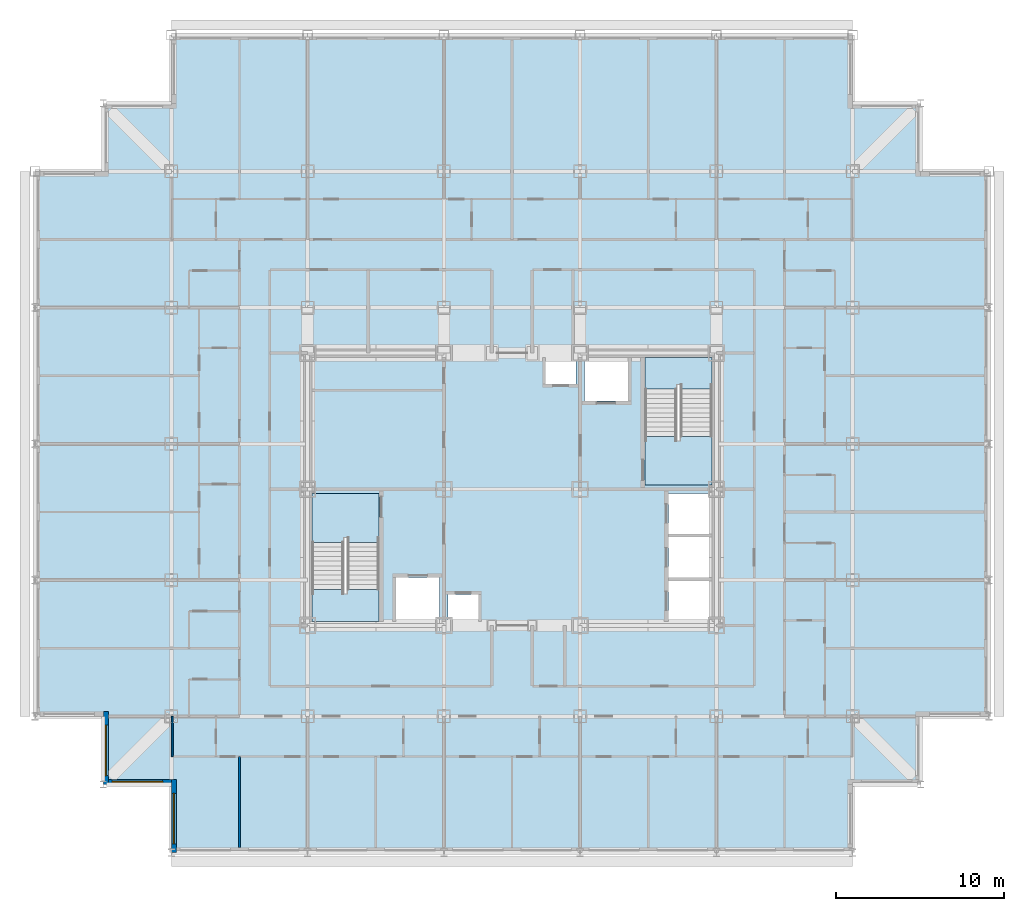
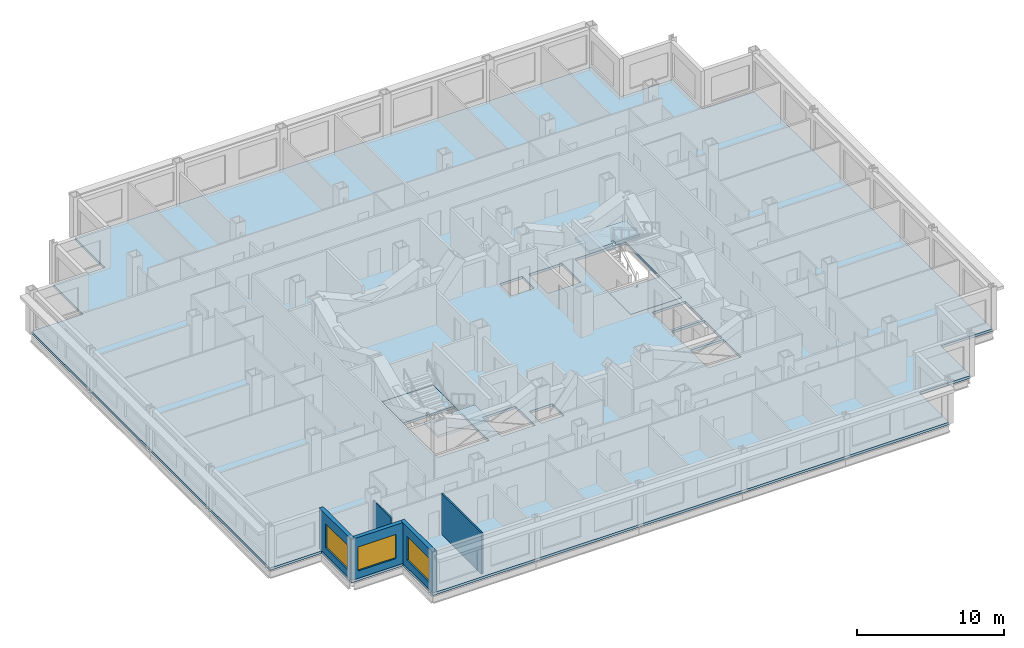
# One storey, part 3 of 12: 5 slabs, 5 walls, 3 windows, 3 openings, 2 elements without a shape of their own.
"""IFC4 building model written with IfcOpenShell, lengths in metres."""

from ifc_helpers import new_model, si_unit, direction, frame, frame_2d, origin, place, context, subcontext, project, spatial, polyline, rectangle, outline, extrude, material, layer, layer_set, type_object, element, fill, aggregate, save


model = new_model("IFC4")

# Units and contexts
model_context = context("Model", 3, precision=1e-05, world=origin(), true_north=direction((0.0, 1.0)))
body_context = subcontext(model_context, "Body", "Model", "MODEL_VIEW")
ifc_project = project(units=[si_unit("LENGTHUNIT", "METRE"), si_unit("AREAUNIT", "SQUARE_METRE"), si_unit("VOLUMEUNIT", "CUBIC_METRE"), si_unit("PLANEANGLEUNIT", "RADIAN"), si_unit("MASSUNIT", "GRAM", prefix="KILO")], contexts=[model_context])

# Site, building, storey
site_placement = place(None, origin())
site = spatial("IfcSite", under=ifc_project, at=site_placement, CompositionType="ELEMENT")
building_placement = place(site_placement, origin())
building = spatial("IfcBuilding", under=site, at=building_placement, Name="Kopane Lantern Tower", CompositionType="ELEMENT")
storey_placement = place(building_placement, frame((0.0, 0.0, 181.199951171875)))
storey = spatial("IfcBuildingStorey", under=building, at=storey_placement, Name="L46", CompositionType="ELEMENT", Elevation=181.199951171875)

# Slab
ifc_material_1 = material(Name="Concrete C40/50", Category="concrete")
ifc_layer_1 = layer(ifc_material_1, 0.2099609375)
ifc_layer_set_1 = layer_set([ifc_layer_1], Name="SLAB 210 COMPOSITE")
slab_type_1 = type_object("IfcSlabType", Name="SLAB 210 COMPOSITE", PredefinedType="FLOOR", material=ifc_layer_set_1)
slab_1_placement = place(storey_placement, frame((0.0, 0.0, -0.2099609375)))
element("IfcSlab", 1, at=slab_1_placement, inside=storey, type_object=slab_type_1, Name="Floor slab L46", PredefinedType="FLOOR", context=body_context, shape_type="SweptSolid", body=[
    extrude(outline(polyline([(8.10009765625, 10.800048828125), (48.60009765625, 10.800048828125), (48.60009765625, 14.85009765625), (52.64990234375, 14.85009765625), (52.64990234375, 18.89990234375), (56.699951171875, 18.89990234375), (56.699951171875, 51.300048828125), (52.64990234375, 51.300048828125), (52.64990234375, 55.35009765625), (48.60009765625, 55.35009765625), (48.60009765625, 59.39990234375), (8.10009765625, 59.39990234375), (8.10009765625, 55.35009765625), (4.050048828125, 55.35009765625), (4.050048828125, 51.300048828125), (0.0, 51.300048828125), (0.0, 18.89990234375), (4.050048828125, 18.89990234375), (4.050048828125, 14.85009765625), (8.10009765625, 14.85009765625), (8.10009765625, 10.800048828125)]), holes=[polyline([(16.449951171875, 24.550048828125), (20.449951171875, 24.550048828125), (20.449951171875, 32.14990234375), (16.449951171875, 32.14990234375), (16.449951171875, 24.550048828125)]), polyline([(36.25, 32.64990234375), (40.25, 32.64990234375), (40.25, 40.25), (36.25, 40.25), (36.25, 32.64990234375)]), polyline([(37.64990234375, 24.550048828125), (40.25, 24.550048828125), (40.25, 26.949951171875), (37.64990234375, 26.949951171875), (37.64990234375, 24.550048828125)]), polyline([(37.64990234375, 27.14990234375), (40.25, 27.14990234375), (40.25, 29.550048828125), (37.64990234375, 29.550048828125), (37.64990234375, 27.14990234375)]), polyline([(37.64990234375, 29.75), (40.25, 29.75), (40.25, 32.14990234375), (37.64990234375, 32.14990234375), (37.64990234375, 29.75)]), polyline([(21.449951171875, 24.550048828125), (24.050048828125, 24.550048828125), (24.050048828125, 27.14990234375), (21.449951171875, 27.14990234375), (21.449951171875, 24.550048828125)]), polyline([(32.64990234375, 37.64990234375), (35.25, 37.64990234375), (35.25, 40.25), (32.64990234375, 40.25), (32.64990234375, 37.64990234375)]), polyline([(24.550048828125, 24.550048828125), (26.35009765625, 24.550048828125), (26.35009765625, 26.14990234375), (24.550048828125, 26.14990234375), (24.550048828125, 24.550048828125)]), polyline([(30.35009765625, 38.64990234375), (32.14990234375, 38.64990234375), (32.14990234375, 40.25), (30.35009765625, 40.25), (30.35009765625, 38.64990234375)])]), origin(), (0.0, 0.0, 1.0), 0.2099609375),
])

# Stair, slabs
ifc_material_2 = material(Name="Steel S355JR", Category="steel")
stair_type = type_object("IfcStairType", Name="EXIT STAIR 1900 HALF TURN", PredefinedType="HALF_TURN_STAIR", material=ifc_material_2)
stair_1_placement = place(storey_placement, origin())
stair_1 = element("IfcStair", 2, at=stair_1_placement, inside=storey, type_object=stair_type, Name="Exit stair ST1 L46", PredefinedType="HALF_TURN_STAIR")
ifc_material_3 = material(Name="Concrete C40/50", Category="concrete")
ifc_layer_2 = layer(ifc_material_3, 0.199951171875)
ifc_layer_set_2 = layer_set([ifc_layer_2], Name="STAIR LANDING 200")
slab_type_2 = type_object("IfcSlabType", Name="STAIR LANDING 200", PredefinedType="LANDING", material=ifc_layer_set_2)
slab_2_placement = place(storey_placement, frame((0.0, 0.0, -0.199951171875)))
slab_2 = element("IfcSlab", 3, at=slab_2_placement, type_object=slab_type_2, Name="ST1 landing 1", PredefinedType="LANDING", context=body_context, shape_type="SweptSolid", body=[
    extrude(outline(polyline([(18.35009765625, 29.530029296875), (18.550048828125, 29.530029296875), (18.550048828125, 29.25), (20.449951171875, 29.25), (20.449951171875, 32.14990234375), (16.449951171875, 32.14990234375), (16.449951171875, 29.25), (18.35009765625, 29.25), (18.35009765625, 29.530029296875)])), origin(), (0.0, 0.0, 1.0), 0.199951171875),
])
slab_3_placement = place(storey_placement, frame((0.0, 0.0, 1.60009765625)))
slab_3 = element("IfcSlab", 4, at=slab_3_placement, type_object=slab_type_2, Name="ST1 landing 2", PredefinedType="LANDING", context=body_context, shape_type="SweptSolid", body=[
    extrude(outline(polyline([(20.449951171875, 26.449951171875), (18.550048828125, 26.449951171875), (18.550048828125, 26.169921875), (18.35009765625, 26.169921875), (18.35009765625, 26.449951171875), (16.449951171875, 26.449951171875), (16.449951171875, 24.550048828125), (20.449951171875, 24.550048828125), (20.449951171875, 26.449951171875)])), origin(), (0.0, 0.0, 1.0), 0.199951171875),
])
aggregate(stair_1, [slab_2, slab_3])

stair_2_placement = place(storey_placement, origin())
stair_2 = element("IfcStair", 5, at=stair_2_placement, inside=storey, type_object=stair_type, Name="Exit stair ST2 L46", PredefinedType="HALF_TURN_STAIR")
slab_4_placement = place(storey_placement, frame((0.0, 0.0, -0.199951171875)))
slab_4 = element("IfcSlab", 6, at=slab_4_placement, type_object=slab_type_2, Name="ST2 landing 1", PredefinedType="LANDING", context=body_context, shape_type="SweptSolid", body=[
    extrude(outline(polyline([(40.25, 35.550048828125), (38.35009765625, 35.550048828125), (38.35009765625, 35.27001953125), (38.14990234375, 35.27001953125), (38.14990234375, 35.550048828125), (36.25, 35.550048828125), (36.25, 32.64990234375), (40.25, 32.64990234375), (40.25, 35.550048828125)])), origin(), (0.0, 0.0, 1.0), 0.199951171875),
])
slab_5_placement = place(storey_placement, frame((0.0, 0.0, 1.60009765625)))
slab_5 = element("IfcSlab", 7, at=slab_5_placement, type_object=slab_type_2, Name="ST2 landing 2", PredefinedType="LANDING", context=body_context, shape_type="SweptSolid", body=[
    extrude(outline(polyline([(38.14990234375, 38.6298828125), (38.35009765625, 38.6298828125), (38.35009765625, 38.35009765625), (40.25, 38.35009765625), (40.25, 40.25), (36.25, 40.25), (36.25, 38.35009765625), (38.14990234375, 38.35009765625), (38.14990234375, 38.6298828125)])), origin(), (0.0, 0.0, 1.0), 0.199951171875),
])
aggregate(stair_2, [slab_4, slab_5])

# Walls
ifc_material_4 = material(Name="Gypsum board on steel studs", Category="steel")
ifc_layer_3 = layer(ifc_material_4, 0.1201171875)
ifc_layer_set_3 = layer_set([ifc_layer_3], Name="APARTMENT INTERNAL WALL 120")
wall_type_1 = type_object("IfcWallType", Name="APARTMENT INTERNAL WALL 120", PredefinedType="PARTITIONING", material=ifc_layer_set_3)
wall_1_placement = place(storey_placement, frame((12.14990234375, 16.5, 0.0), z_axis=(0.0, 0.0, 1.0), x_axis=(0.0, -1.0, 0.0)))
element("IfcWall", 8, at=wall_1_placement, inside=storey, type_object=wall_type_1, Name="Apartment Internal Wall 120 L46", PredefinedType="PARTITIONING", context=body_context, shape_type="SweptSolid", body=[
    extrude(rectangle(XDim=5.39990234375, YDim=0.1201171875, at=frame_2d((2.699951171875, 0.0))), origin(), (0.0, 0.0, 1.0), 3.39013671875),
])
ifc_material_5 = material(Name="Moisture-resistant board on steel studs", Category="steel")
ifc_layer_4 = layer(ifc_material_5, 0.10009765625)
ifc_layer_set_4 = layer_set([ifc_layer_4], Name="BATHROOM WALL 100")
wall_type_2 = type_object("IfcWallType", Name="BATHROOM WALL 100", PredefinedType="PARTITIONING", material=ifc_layer_set_4)
wall_2_placement = place(storey_placement, frame((8.14990234375, 18.89990234375, 0.0), z_axis=(0.0, 0.0, 1.0), x_axis=(0.0, -1.0, 0.0)))
element("IfcWall", 9, at=wall_2_placement, inside=storey, type_object=wall_type_2, Name="Bathroom Wall 100 L46", PredefinedType="PARTITIONING", context=body_context, shape_type="SweptSolid", body=[
    extrude(rectangle(XDim=2.39990234375, YDim=0.10009765625, at=frame_2d((1.199951171875, 0.0))), origin(), (0.0, 0.0, 1.0), 2.77783203125),
])

# Wall, opening, window
ifc_material_6 = material(Name="Terracotta rainscreen on light steel framing", Category="masonry")
ifc_layer_5 = layer(ifc_material_6, 0.300048828125)
ifc_layer_set_5 = layer_set([ifc_layer_5], Name="EXTERNAL WALL EW1 300 TERRACOTTA")
wall_type_3 = type_object("IfcWallType", Name="EXTERNAL WALL EW1 300 TERRACOTTA", PredefinedType="SOLIDWALL", material=ifc_layer_set_5)
wall_3_placement = place(storey_placement, frame((4.199951171875, 19.199951171875, 0.0), z_axis=(0.0, 0.0, 1.0), x_axis=(0.0, -1.0, 0.0)))
wall_3 = element("IfcWall", 10, at=wall_3_placement, inside=storey, type_object=wall_type_3, Name="External wall W L46", PredefinedType="SOLIDWALL", context=body_context, shape_type="SweptSolid", body=[
    extrude(rectangle(XDim=4.349853515625, YDim=0.300048828125, at=frame_2d((2.1748046875, 0.0))), origin(), (0.0, 0.0, 1.0), 3.39013671875),
])
opening_1_placement = place(wall_3_placement, frame((0.824951171875, 0.0, 0.60009765625)))
opening_1 = element("IfcOpeningElement", 11, at=opening_1_placement, cuts=wall_3, Name="Opening WR300200", PredefinedType="OPENING", context=body_context, shape_type="SweptSolid", body=[
    extrude(rectangle(XDim=3.0, YDim=2.0, at=frame_2d((1.5, 1.0))), frame((0.0, 0.159912109375, 0.0), z_axis=(0.0, -1.0, 0.0), x_axis=(1.0, 0.0, 0.0)), (0.0, 0.0, 1.0), 0.320068359375),
])
ifc_material_7 = material(Name="Aluminium and clear glass", Category="aluminium")
window_type = type_object("IfcWindowType", Name="RIBBON WINDOW WR300200 3000x2000", PartitioningType="SINGLE_PANEL", PredefinedType="WINDOW", material=ifc_material_7)
window_1_placement = place(opening_1_placement, origin())
window_1 = element("IfcWindow", 12, at=window_1_placement, inside=storey, type_object=window_type, Name="Window W L46", OverallHeight=2.0, OverallWidth=3.0, PartitioningType="SINGLE_PANEL", PredefinedType="WINDOW", context=body_context, shape_type="SweptSolid", body=[
    extrude(rectangle(XDim=3.0, YDim=2.0, at=frame_2d((1.5, 1.0))), frame((0.0, 0.030029296875, 0.0), z_axis=(0.0, -1.0, 0.0), x_axis=(1.0, 0.0, 0.0)), (0.0, 0.0, 1.0), 0.06005859375),
])
fill(opening_1, window_1)

wall_4_placement = place(storey_placement, frame((4.35009765625, 15.0, 0.0), z_axis=(0.0, 0.0, 1.0), x_axis=(1.0, 0.0, 0.0)))
wall_4 = element("IfcWall", 13, at=wall_4_placement, inside=storey, type_object=wall_type_3, Name="External wall S L46", PredefinedType="SOLIDWALL", context=body_context, shape_type="SweptSolid", body=[
    extrude(rectangle(XDim=3.75, YDim=0.300048828125, at=frame_2d((1.875, 0.0))), origin(), (0.0, 0.0, 1.0), 3.39013671875),
])
opening_2_placement = place(wall_4_placement, frame((0.22509765625, 0.0, 0.60009765625)))
opening_2 = element("IfcOpeningElement", 14, at=opening_2_placement, cuts=wall_4, Name="Opening WR300200", PredefinedType="OPENING", context=body_context, shape_type="SweptSolid", body=[
    extrude(rectangle(XDim=3.0, YDim=2.0, at=frame_2d((1.5, 1.0))), frame((0.0, 0.159912109375, 0.0), z_axis=(0.0, -1.0, 0.0), x_axis=(1.0, 0.0, 0.0)), (0.0, 0.0, 1.0), 0.320068359375),
])
window_2_placement = place(opening_2_placement, origin())
window_2 = element("IfcWindow", 15, at=window_2_placement, inside=storey, type_object=window_type, Name="Window S L46", OverallHeight=2.0, OverallWidth=3.0, PartitioningType="SINGLE_PANEL", PredefinedType="WINDOW", context=body_context, shape_type="SweptSolid", body=[
    extrude(rectangle(XDim=3.0, YDim=2.0, at=frame_2d((1.5, 1.0))), frame((0.0, 0.030029296875, 0.0), z_axis=(0.0, -1.0, 0.0), x_axis=(1.0, 0.0, 0.0)), (0.0, 0.0, 1.0), 0.06005859375),
])
fill(opening_2, window_2)

wall_5_placement = place(storey_placement, frame((8.25, 15.14990234375, 0.0), z_axis=(0.0, 0.0, 1.0), x_axis=(0.0, -1.0, 0.0)))
wall_5 = element("IfcWall", 16, at=wall_5_placement, inside=storey, type_object=wall_type_3, Name="External wall W L46", PredefinedType="SOLIDWALL", context=body_context, shape_type="SweptSolid", body=[
    extrude(rectangle(XDim=4.349853515625, YDim=0.300048828125, at=frame_2d((2.1748046875, 0.0))), origin(), (0.0, 0.0, 1.0), 3.39013671875),
])
opening_3_placement = place(wall_5_placement, frame((0.824951171875, 0.0, 0.60009765625)))
opening_3 = element("IfcOpeningElement", 17, at=opening_3_placement, cuts=wall_5, Name="Opening WR300200", PredefinedType="OPENING", context=body_context, shape_type="SweptSolid", body=[
    extrude(rectangle(XDim=3.0, YDim=2.0, at=frame_2d((1.5, 1.0))), frame((0.0, 0.159912109375, 0.0), z_axis=(0.0, -1.0, 0.0), x_axis=(1.0, 0.0, 0.0)), (0.0, 0.0, 1.0), 0.320068359375),
])
window_3_placement = place(opening_3_placement, origin())
window_3 = element("IfcWindow", 18, at=window_3_placement, inside=storey, type_object=window_type, Name="Window W L46", OverallHeight=2.0, OverallWidth=3.0, PartitioningType="SINGLE_PANEL", PredefinedType="WINDOW", context=body_context, shape_type="SweptSolid", body=[
    extrude(rectangle(XDim=3.0, YDim=2.0, at=frame_2d((1.5, 1.0))), frame((0.0, 0.030029296875, 0.0), z_axis=(0.0, -1.0, 0.0), x_axis=(1.0, 0.0, 0.0)), (0.0, 0.0, 1.0), 0.06005859375),
])
fill(opening_3, window_3)

save(model, "model.ifc")
